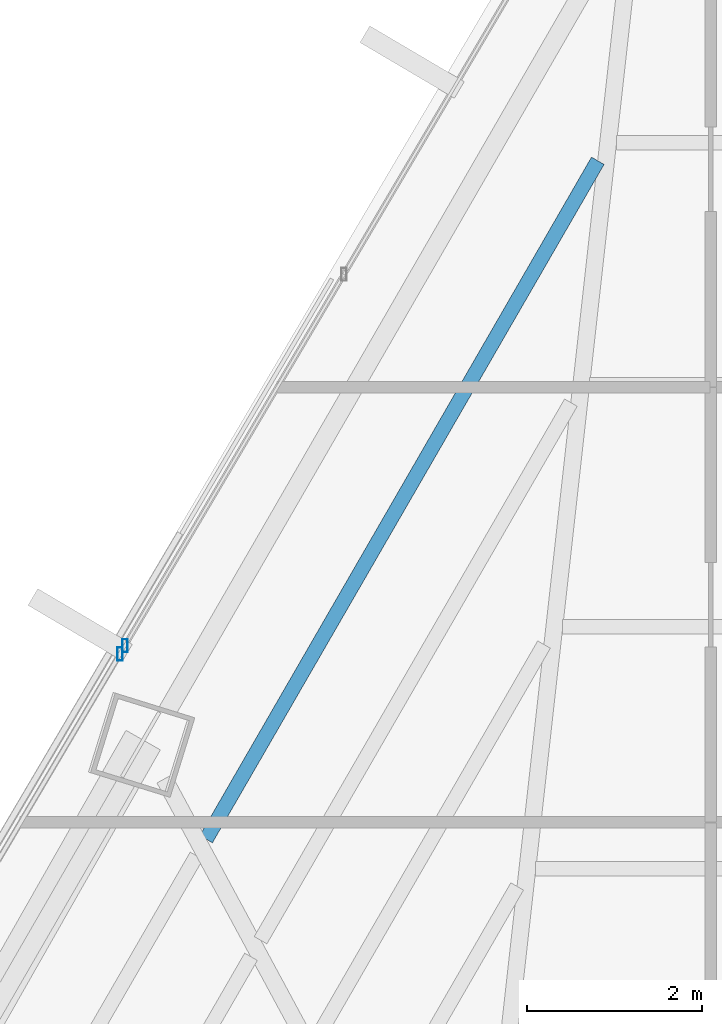
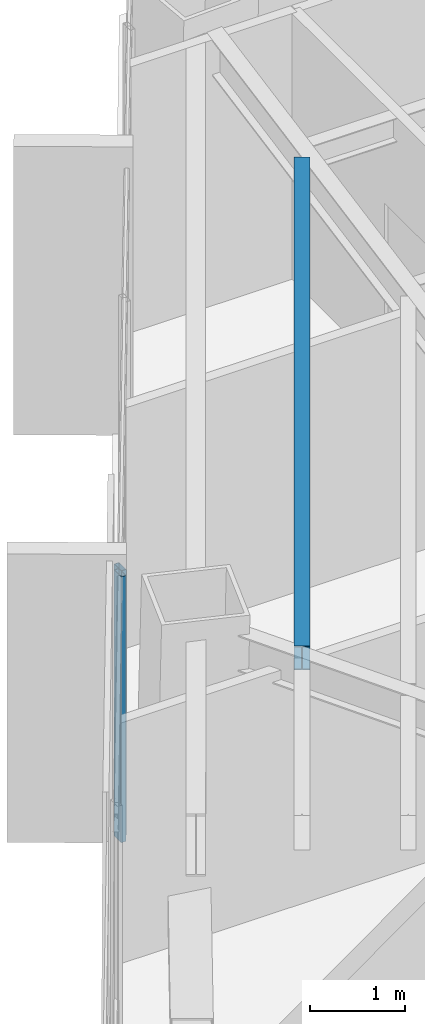
# One storey, part 25 of 40: 2 members, 1 beam, 2 elements without a shape of their own.
"""IFC4 building model written with IfcOpenShell, lengths in metres."""

from ifc_helpers import new_model, si_unit, direction, frame, origin, origin_2d, place, context, subcontext, project, spatial, hollow_rectangle, i_section, extrude, source, transform, mapped, material, material_profile, profile_set, type_object, type_shapes, element, aggregate, save


model = new_model("IFC4")

# Units and contexts
model_context = context("Model", 3, precision=1e-05, world=origin(), true_north=direction((0.0, 1.0)))
body_context = subcontext(model_context, "Body", "Model", "MODEL_VIEW")
ifc_project = project(units=[si_unit("LENGTHUNIT", "METRE"), si_unit("AREAUNIT", "SQUARE_METRE"), si_unit("VOLUMEUNIT", "CUBIC_METRE"), si_unit("PLANEANGLEUNIT", "RADIAN"), si_unit("MASSUNIT", "GRAM", prefix="KILO")], contexts=[model_context])

# Site, building, storey
site_placement = place(None, origin())
site = spatial("IfcSite", under=ifc_project, at=site_placement, CompositionType="ELEMENT")
building_placement = place(site_placement, origin())
building = spatial("IfcBuilding", under=site, at=building_placement, Name="Caelisora Broadcast Tower", CompositionType="ELEMENT")
storey_placement = place(building_placement, frame((0.0, 0.0, 176.75)))
storey = spatial("IfcBuildingStorey", under=building, at=storey_placement, Name="L46", CompositionType="ELEMENT", Elevation=176.75)

# Beam
ifc_material_1 = material(Name="Steel Grade 350 (AS/NZS 3679.1)", Category="steel")
ifc_material_profile_1 = material_profile(ifc_material_1, i_section(OverallWidth=0.166015625, OverallDepth=0.30712890625, WebThickness=0.006591796875, FlangeThickness=0.01171875, at=origin_2d()), Name="Steel Grade 350 (AS/NZS 3679.1)")
ifc_profile_set_1 = profile_set([ifc_material_profile_1], Name="Steel Grade 350 (AS/NZS 3679.1)")
beam_type = type_object("IfcBeamType", Name="SB03", PredefinedType="JOIST", material=ifc_profile_set_1)
shared_shape_1 = source(origin(), body_context, "Body", "SweptSolid", [
    extrude(i_section(OverallWidth=0.166015625, OverallDepth=0.30712890625, WebThickness=0.006591796875, FlangeThickness=0.01171875, at=origin_2d()), origin(), (0.0, 0.0, 1.0), 8.92822265625),
])
type_shapes(beam_type, [shared_shape_1])
beam_placement = place(storey_placement, frame((31.91455078125, 43.58056640625, 3.246337890625), z_axis=(-0.500006500783, -0.866021650523, 0.0), x_axis=(0.866021650523, -0.500006500783, 0.0)))
element("IfcBeam", 1, at=beam_placement, inside=storey, type_object=beam_type, Name="L46 beam SB03", PredefinedType="JOIST", context=body_context, shape_type="MappedRepresentation", body=[
    mapped(shared_shape_1, transform((0.0, 0.0, 0.0), scale=1.0)),
])

# Curtain wall, member
ifc_material_2 = material(Name="Unitised Aluminium Insulated Shadow-Box Spandrel Curtain Wall", Category="aluminium")
curtain_wall_type_1 = type_object("IfcCurtainWallType", Name="CW-SP2", PredefinedType="NOTDEFINED", material=ifc_material_2)
curtain_wall_1_placement = place(storey_placement, origin())
curtain_wall_1 = element("IfcCurtainWall", 2, at=curtain_wall_1_placement, inside=storey, type_object=curtain_wall_type_1, Name="L46 curtain wall CW-SP2", PredefinedType="NOTDEFINED")
ifc_material_3 = material(Name="Aluminium 6063-T6 Anodised Terracotta Bronze", Category="aluminium")
ifc_material_profile_2 = material_profile(ifc_material_3, hollow_rectangle(XDim=0.06005859375, YDim=0.14990234375, WallThickness=0.00341796875, at=origin_2d()), Name="Aluminium 6063-T6 Anodised Terracotta Bronze")
ifc_profile_set_2 = profile_set([ifc_material_profile_2], Name="Aluminium 6063-T6 Anodised Terracotta Bronze")
member_type = type_object("IfcMemberType", Name="CWM-03", PredefinedType="MULLION", material=ifc_profile_set_2)
shared_shape_2 = source(origin(), body_context, "Body", "SweptSolid", [
    extrude(hollow_rectangle(XDim=0.06005859375, YDim=0.14990234375, WallThickness=0.00341796875, at=origin_2d()), origin(), (0.0, 0.0, 1.0), 3.39990234375),
])
type_shapes(member_type, [shared_shape_2])
member_1_placement = place(storey_placement, frame((26.468994140625, 37.95947265625, 0.0), z_axis=(0.0, 0.0, 1.0), x_axis=(1.0, 0.0, 0.0)))
member_1 = element("IfcMember", 3, at=member_1_placement, type_object=member_type, Name="L46-CW-B10 mullion #3", PredefinedType="MULLION", context=body_context, shape_type="MappedRepresentation", body=[
    mapped(shared_shape_2, transform((0.0, 0.0, 0.0), scale=1.0)),
])
aggregate(curtain_wall_1, [member_1])

ifc_material_4 = material(Name="Unitised Aluminium and Low-E Glass Curtain Wall", Category="glass")
curtain_wall_type_2 = type_object("IfcCurtainWallType", Name="CW-Z3", PredefinedType="NOTDEFINED", material=ifc_material_4)
curtain_wall_2_placement = place(storey_placement, origin())
curtain_wall_2 = element("IfcCurtainWall", 4, at=curtain_wall_2_placement, inside=storey, type_object=curtain_wall_type_2, Name="L46 curtain wall CW-Z3", PredefinedType="NOTDEFINED")
member_2_placement = place(storey_placement, frame((26.52490234375, 38.05419921875, 0.0), z_axis=(0.0, 0.0, 1.0), x_axis=(1.0, 0.0, 0.0)))
member_2 = element("IfcMember", 5, at=member_2_placement, type_object=member_type, Name="L46-CW-B11 mullion #0", PredefinedType="MULLION", context=body_context, shape_type="MappedRepresentation", body=[
    mapped(shared_shape_2, transform((0.0, 0.0, 0.0), scale=1.0)),
])
aggregate(curtain_wall_2, [member_2])

save(model, "model.ifc")
